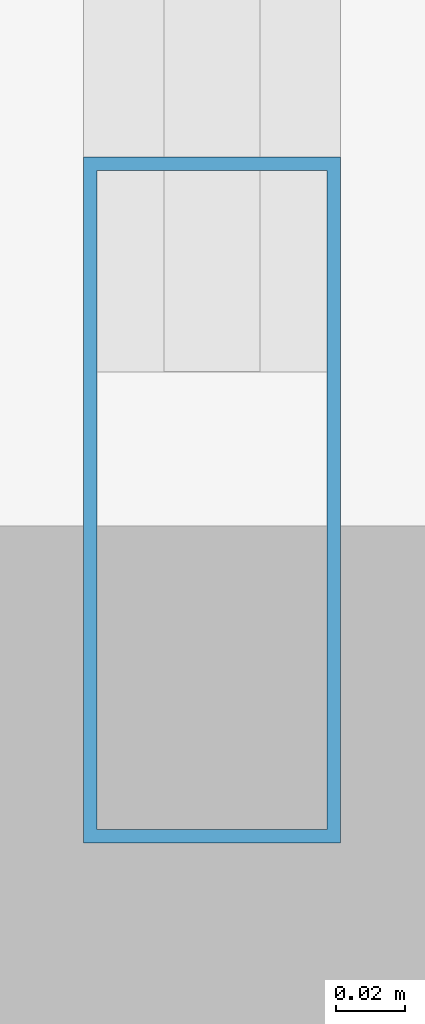
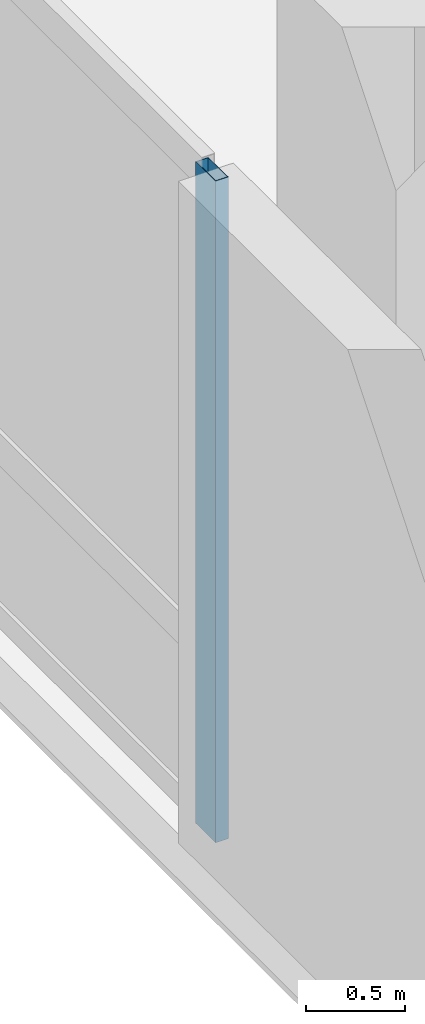
# One storey, part 2 of 40: 1 member, 1 element without a shape of its own.
"""IFC4 building model written with IfcOpenShell, lengths in metres."""

from ifc_helpers import new_model, si_unit, direction, frame, origin, origin_2d, place, context, subcontext, project, spatial, hollow_rectangle, extrude, material, layer, layer_set, material_profile, profile_set, type_object, element, aggregate, save


model = new_model("IFC4")

# Units and contexts
model_context = context("Model", 3, precision=1e-05, world=origin(), true_north=direction((0.0, 1.0)))
body_context = subcontext(model_context, "Body", "Model", "MODEL_VIEW")
ifc_project = project(units=[si_unit("LENGTHUNIT", "METRE"), si_unit("AREAUNIT", "SQUARE_METRE"), si_unit("VOLUMEUNIT", "CUBIC_METRE"), si_unit("PLANEANGLEUNIT", "RADIAN"), si_unit("MASSUNIT", "GRAM", prefix="KILO")], contexts=[model_context])

# Site, building, storey
site_placement = place(None, origin())
site = spatial("IfcSite", under=ifc_project, at=site_placement, CompositionType="ELEMENT")
building_placement = place(site_placement, origin())
building = spatial("IfcBuilding", under=site, at=building_placement, Name="Varnelok Gate Tower", CompositionType="ELEMENT")
storey_placement = place(building_placement, frame((0.0, 0.0, 5.39990234375)))
storey = spatial("IfcBuildingStorey", under=building, at=storey_placement, Name="L01", CompositionType="ELEMENT", Elevation=5.39990234375)

# Curtain wall, member
ifc_material = material(Name="Anodized Aluminum Alloy 6063-T6", Category="aluminium")
ifc_layer = layer(ifc_material, 0.179931640625)
ifc_layer_set = layer_set([ifc_layer], Name="Anodized Aluminum Alloy 6063-T6")
curtain_wall_type = type_object("IfcCurtainWallType", Name="CW1-ARCH-PORTAL", PredefinedType="USERDEFINED", material=ifc_layer_set)
curtain_wall_placement = place(storey_placement, origin())
curtain_wall = element("IfcCurtainWall", 1, at=curtain_wall_placement, inside=storey, type_object=curtain_wall_type, Name="L01 Podium Portal Curtain Wall W", ObjectType="UNITISED CURTAIN WALL", PredefinedType="USERDEFINED")
ifc_material_profile = material_profile(ifc_material, hollow_rectangle(XDim=0.074951171875, YDim=0.199951171875, WallThickness=0.00390625, at=origin_2d()), Name="ALU200X75X4")
ifc_profile_set = profile_set([ifc_material_profile], Name="Anodized Aluminum Alloy 6063-T6")
member_type = type_object("IfcMemberType", Name="CW-MULL-200", PredefinedType="MULLION", material=ifc_profile_set)
member_placement = place(storey_placement, frame((0.159912109375, 15.237548828125, 0.0), z_axis=(0.0, 0.0, 1.0), x_axis=(-1.0, 0.0, 0.0)))
member = element("IfcMember", 2, at=member_placement, type_object=member_type, Name="CW1 mullion 1", PredefinedType="MULLION", context=body_context, shape_type="SweptSolid", body=[
    extrude(hollow_rectangle(XDim=0.074951171875, YDim=0.199951171875, WallThickness=0.00390625, at=origin_2d()), origin(), (0.0, 0.0, 1.0), 4.070068359375),
])
aggregate(curtain_wall, [member])

save(model, "model.ifc")
